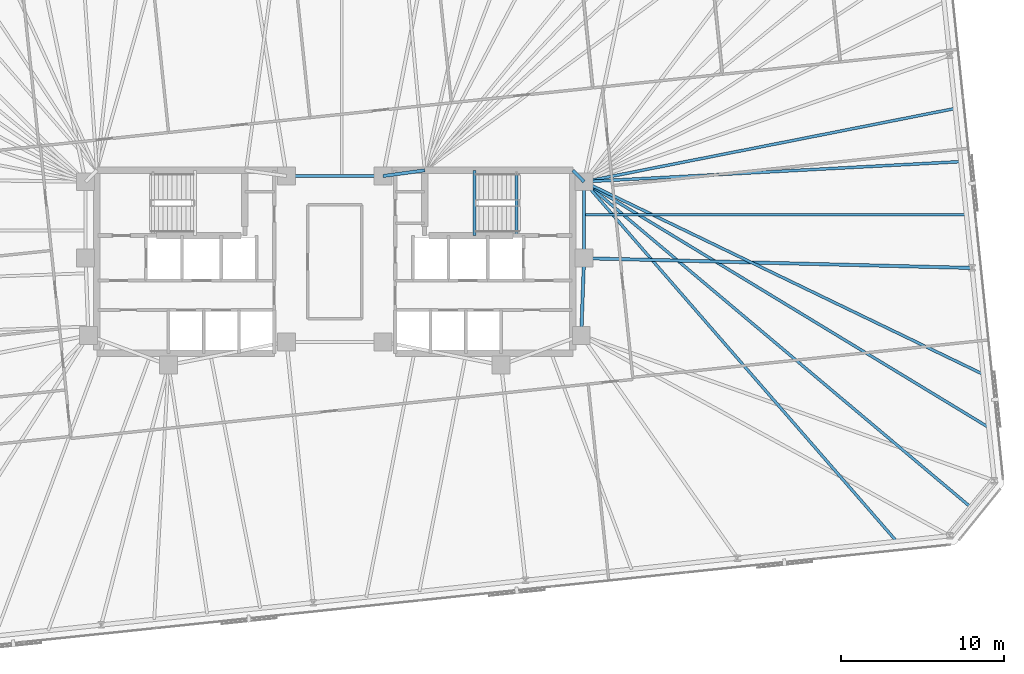
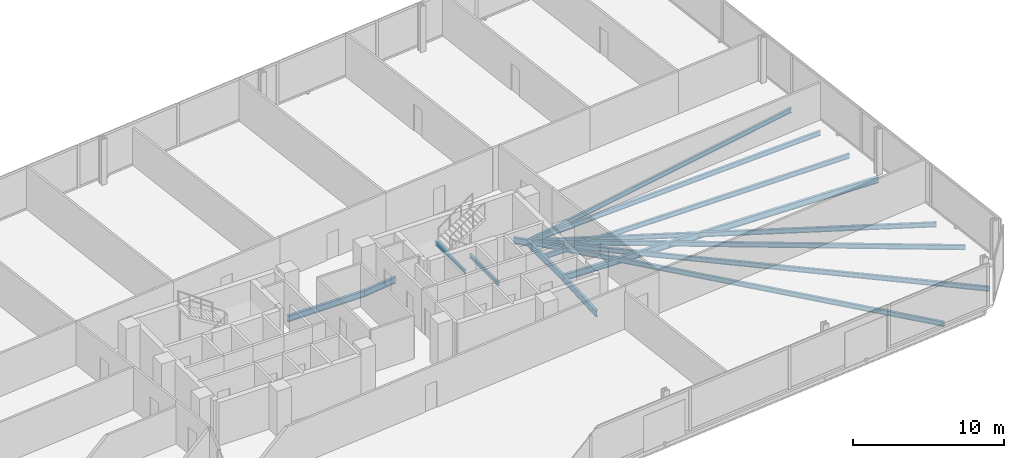
# One storey, part 8 of 18: 15 beams.
"""IFC4 building model written with IfcOpenShell, lengths in metres."""

from ifc_helpers import new_model, si_unit, direction, frame, origin, origin_2d, place, context, subcontext, project, spatial, i_section, extrude, material, material_profile, profile_set, type_object, element, save


model = new_model("IFC4")

# Units and contexts
model_context = context("Model", 3, precision=1e-05, world=origin(), true_north=direction((0.0, 1.0)))
body_context = subcontext(model_context, "Body", "Model", "MODEL_VIEW")
ifc_project = project(units=[si_unit("LENGTHUNIT", "METRE"), si_unit("AREAUNIT", "SQUARE_METRE"), si_unit("VOLUMEUNIT", "CUBIC_METRE"), si_unit("PLANEANGLEUNIT", "RADIAN"), si_unit("MASSUNIT", "GRAM", prefix="KILO")], contexts=[model_context])

# Site, building, storey
site_placement = place(None, origin())
site = spatial("IfcSite", under=ifc_project, at=site_placement, CompositionType="ELEMENT")
building_placement = place(site_placement, origin())
building = spatial("IfcBuilding", under=site, at=building_placement, Name="Menara Jurai Vektor", CompositionType="ELEMENT")
storey_placement = place(building_placement, frame((0.0, 0.0, 105.89990234375)))
storey = spatial("IfcBuildingStorey", under=building, at=storey_placement, Name="L26", CompositionType="ELEMENT", Elevation=105.89990234375)

# Beams
ifc_material = material(Name="Steel S355", Category="steel")
ifc_material_profile_1 = material_profile(ifc_material, i_section(OverallWidth=0.199951171875, OverallDepth=0.5, WebThickness=0.011962890625, FlangeThickness=0.02001953125, at=origin_2d()), Name="PG 500x200x96")
ifc_profile_set_1 = profile_set([ifc_material_profile_1], Name="Steel S355")
beam_type_1 = type_object("IfcBeamType", Name="STR-BM-500", PredefinedType="BEAM", material=ifc_profile_set_1)
beam_1_placement = place(storey_placement, frame((2.949951171875, 5.25, -0.474853515625), z_axis=(0.990706818608, 0.136014703483, 0.0), x_axis=(-0.136014703483, 0.990706818608, 0.0)))
element("IfcBeam", 1, at=beam_1_placement, inside=storey, type_object=beam_type_1, Name="Core Ring Header Girder L26-CHE-N1", PredefinedType="BEAM", context=body_context, shape_type="SweptSolid", body=[
    extrude(i_section(OverallWidth=0.199951171875, OverallDepth=0.5, WebThickness=0.011962890625, FlangeThickness=0.02001953125, at=origin_2d()), origin(), (0.0, 0.0, 1.0), 2.573974609375),
])
beam_2_placement = place(storey_placement, frame((14.56005859375, 5.60009765625, -0.474853515625), z_axis=(0.701871936926, -0.712303154672, 0.0), x_axis=(0.712303154672, 0.701871936926, 0.0)))
element("IfcBeam", 2, at=beam_2_placement, inside=storey, type_object=beam_type_1, Name="Core Ring Header Girder L26-CHE-N2", PredefinedType="BEAM", context=body_context, shape_type="SweptSolid", body=[
    extrude(i_section(OverallWidth=0.199951171875, OverallDepth=0.5, WebThickness=0.011962890625, FlangeThickness=0.02001953125, at=origin_2d()), origin(), (0.0, 0.0, 1.0), 0.98291015625),
])
beam_3_placement = place(storey_placement, frame((15.25, 0.219970703125, -0.474853515625), z_axis=(0.0, 1.0, 0.0), x_axis=(-1.0, 0.0, 0.0)))
element("IfcBeam", 3, at=beam_3_placement, inside=storey, type_object=beam_type_1, Name="Core Ring Header Girder L26-CHE-E1", PredefinedType="BEAM", context=body_context, shape_type="SweptSolid", body=[
    extrude(i_section(OverallWidth=0.199951171875, OverallDepth=0.5, WebThickness=0.011962890625, FlangeThickness=0.02001953125, at=origin_2d()), origin(), (0.0, 0.0, 1.0), 4.679931640625),
])
beam_4_placement = place(storey_placement, frame((15.080078125, -4.5, -0.474853515625), z_axis=(0.035977314146, 0.999352606874, 0.0), x_axis=(-0.999352606874, 0.035977314146, 0.0)))
element("IfcBeam", 4, at=beam_4_placement, inside=storey, type_object=beam_type_1, Name="Core Ring Header Girder L26-CHE-E2", PredefinedType="BEAM", context=body_context, shape_type="SweptSolid", body=[
    extrude(i_section(OverallWidth=0.199951171875, OverallDepth=0.5, WebThickness=0.011962890625, FlangeThickness=0.02001953125, at=origin_2d()), origin(), (0.0, 0.0, 1.0), 4.72314453125),
])
beam_5_placement = place(storey_placement, frame((-2.949951171875, 5.25, -0.474853515625), z_axis=(1.0, 0.0, 0.0), x_axis=(0.0, 1.0, 0.0)))
element("IfcBeam", 5, at=beam_5_placement, inside=storey, type_object=beam_type_1, Name="Core Ring Header Girder L26-CC-2", PredefinedType="BEAM", context=body_context, shape_type="SweptSolid", body=[
    extrude(i_section(OverallWidth=0.199951171875, OverallDepth=0.5, WebThickness=0.011962890625, FlangeThickness=0.02001953125, at=origin_2d()), origin(), (0.0, 0.0, 1.0), 5.89990234375),
])
beam_6_placement = place(storey_placement, frame((38.98828125, -0.375, -0.474853515625), z_axis=(-0.999686051749, 0.02505589629, 0.0), x_axis=(-0.02505589629, -0.999686051749, 0.0)))
element("IfcBeam", 6, at=beam_6_placement, inside=storey, type_object=beam_type_1, Name="Radial Floor Girder L26-E2", PredefinedType="BEAM", context=body_context, shape_type="SweptSolid", body=[
    extrude(i_section(OverallWidth=0.199951171875, OverallDepth=0.5, WebThickness=0.011962890625, FlangeThickness=0.02001953125, at=origin_2d()), origin(), (0.0, 0.0, 1.0), 23.745849609375),
])
ifc_material_profile_2 = material_profile(ifc_material, i_section(OverallWidth=0.175048828125, OverallDepth=0.3798828125, WebThickness=0.010009765625, FlangeThickness=0.014892578125, at=origin_2d()), Name="PG 380x175x58")
ifc_profile_set_2 = profile_set([ifc_material_profile_2], Name="Steel S355")
beam_type_2 = type_object("IfcBeamType", Name="STR-JS-380", PredefinedType="JOIST", material=ifc_profile_set_2)
beam_7_placement = place(storey_placement, frame((34.376953125, -17.106201171875, -0.414794921875), z_axis=(-0.656007047389, 0.754754763996, 0.0), x_axis=(-0.754754763996, -0.656007047389, 0.0)))
element("IfcBeam", 7, at=beam_7_placement, inside=storey, type_object=beam_type_2, Name="Radial Secondary Floor Joist L26-JS09", PredefinedType="JOIST", context=body_context, shape_type="SweptSolid", body=[
    extrude(i_section(OverallWidth=0.175048828125, OverallDepth=0.3798828125, WebThickness=0.010009765625, FlangeThickness=0.014892578125, at=origin_2d()), origin(), (0.0, 0.0, 1.0), 29.15673828125),
])
beam_8_placement = place(storey_placement, frame((38.989013671875, -15.076904296875, -0.414794921875), z_axis=(-0.765132553444, 0.643872794627, 0.0), x_axis=(-0.643872794627, -0.765132553444, 0.0)))
element("IfcBeam", 8, at=beam_8_placement, inside=storey, type_object=beam_type_2, Name="Radial Secondary Floor Joist L26-JS10", PredefinedType="JOIST", context=body_context, shape_type="SweptSolid", body=[
    extrude(i_section(OverallWidth=0.175048828125, OverallDepth=0.3798828125, WebThickness=0.010009765625, FlangeThickness=0.014892578125, at=origin_2d()), origin(), (0.0, 0.0, 1.0), 31.026123046875),
])
beam_9_placement = place(storey_placement, frame((40.01416015625, -10.13525390625, -0.414794921875), z_axis=(-0.854790986557, 0.518972416706, 0.0), x_axis=(-0.518972416706, -0.854790986557, 0.0)))
element("IfcBeam", 9, at=beam_9_placement, inside=storey, type_object=beam_type_2, Name="Radial Secondary Floor Joist L26-JS11", PredefinedType="JOIST", context=body_context, shape_type="SweptSolid", body=[
    extrude(i_section(OverallWidth=0.175048828125, OverallDepth=0.3798828125, WebThickness=0.010009765625, FlangeThickness=0.014892578125, at=origin_2d()), origin(), (0.0, 0.0, 1.0), 28.970947265625),
])
beam_10_placement = place(storey_placement, frame((39.672119140625, -6.8818359375, -0.414794921875), z_axis=(-0.90067072624, 0.434502293312, 0.0), x_axis=(-0.434502293312, -0.90067072624, 0.0)))
element("IfcBeam", 10, at=beam_10_placement, inside=storey, type_object=beam_type_2, Name="Radial Secondary Floor Joist L26-JS12", PredefinedType="JOIST", context=body_context, shape_type="SweptSolid", body=[
    extrude(i_section(OverallWidth=0.175048828125, OverallDepth=0.3798828125, WebThickness=0.010009765625, FlangeThickness=0.014892578125, at=origin_2d()), origin(), (0.0, 0.0, 1.0), 27.115478515625),
])
beam_11_placement = place(storey_placement, frame((38.646484375, 2.87841796875, -0.414794921875), z_axis=(-1.0, 0.0, 0.0), x_axis=(0.0, -1.0, 0.0)))
element("IfcBeam", 11, at=beam_11_placement, inside=storey, type_object=beam_type_2, Name="Radial Secondary Floor Joist L26-JS13", PredefinedType="JOIST", context=body_context, shape_type="SweptSolid", body=[
    extrude(i_section(OverallWidth=0.175048828125, OverallDepth=0.3798828125, WebThickness=0.010009765625, FlangeThickness=0.014892578125, at=origin_2d()), origin(), (0.0, 0.0, 1.0), 23.396484375),
])
beam_12_placement = place(storey_placement, frame((38.304443359375, 6.131591796875, -0.414794921875), z_axis=(-0.998575919005, -0.053349170414, 0.0), x_axis=(0.053349170414, -0.998575919005, 0.0)))
element("IfcBeam", 12, at=beam_12_placement, inside=storey, type_object=beam_type_2, Name="Radial Secondary Floor Joist L26-JS14", PredefinedType="JOIST", context=body_context, shape_type="SweptSolid", body=[
    extrude(i_section(OverallWidth=0.175048828125, OverallDepth=0.3798828125, WebThickness=0.010009765625, FlangeThickness=0.014892578125, at=origin_2d()), origin(), (0.0, 0.0, 1.0), 23.08740234375),
])
beam_13_placement = place(storey_placement, frame((37.96240234375, 9.385009765625, -0.414794921875), z_axis=(-0.981054359007, -0.193732662897, 0.0), x_axis=(0.193732662897, -0.981054359007, 0.0)))
element("IfcBeam", 13, at=beam_13_placement, inside=storey, type_object=beam_type_2, Name="Radial Secondary Floor Joist L26-JS15", PredefinedType="JOIST", context=body_context, shape_type="SweptSolid", body=[
    extrude(i_section(OverallWidth=0.175048828125, OverallDepth=0.3798828125, WebThickness=0.010009765625, FlangeThickness=0.014892578125, at=origin_2d()), origin(), (0.0, 0.0, 1.0), 23.151123046875),
])
ifc_material_profile_3 = material_profile(ifc_material, i_section(OverallWidth=0.1650390625, OverallDepth=0.302978515625, WebThickness=0.006103515625, FlangeThickness=0.010009765625, FilletRadius=0.009033203125, at=origin_2d()), Name="UKB 305x165x40")
ifc_profile_set_3 = profile_set([ifc_material_profile_3], Name="Steel S355")
beam_type_3 = type_object("IfcBeamType", Name="STR-LN-305", PredefinedType="LINTEL", material=ifc_profile_set_3)
beam_14_placement = place(storey_placement, frame((11.1201171875, 1.60009765625, -0.37646484375), z_axis=(0.0, 1.0, 0.0), x_axis=(-1.0, 0.0, 0.0)))
element("IfcBeam", 14, at=beam_14_placement, inside=storey, type_object=beam_type_3, Name="Stair Well Floor Trimmer ST2 L26", PredefinedType="LINTEL", context=body_context, shape_type="SweptSolid", body=[
    extrude(i_section(OverallWidth=0.1650390625, OverallDepth=0.302978515625, WebThickness=0.006103515625, FlangeThickness=0.010009765625, FilletRadius=0.009033203125, at=origin_2d()), origin(), (0.0, 0.0, 1.0), 3.81982421875),
])
beam_15_placement = place(storey_placement, frame((8.550048828125, 1.60009765625, 1.49853515625), z_axis=(0.0, 1.0, 0.0), x_axis=(-1.0, 0.0, 0.0)))
element("IfcBeam", 15, at=beam_15_placement, inside=storey, type_object=beam_type_3, Name="Stair Half-Landing Nosing Trimmer ST2-1 L26", PredefinedType="LINTEL", context=body_context, shape_type="SweptSolid", body=[
    extrude(i_section(OverallWidth=0.1650390625, OverallDepth=0.302978515625, WebThickness=0.006103515625, FlangeThickness=0.010009765625, FilletRadius=0.009033203125, at=origin_2d()), origin(), (0.0, 0.0, 1.0), 4.0),
])

save(model, "model.ifc")
